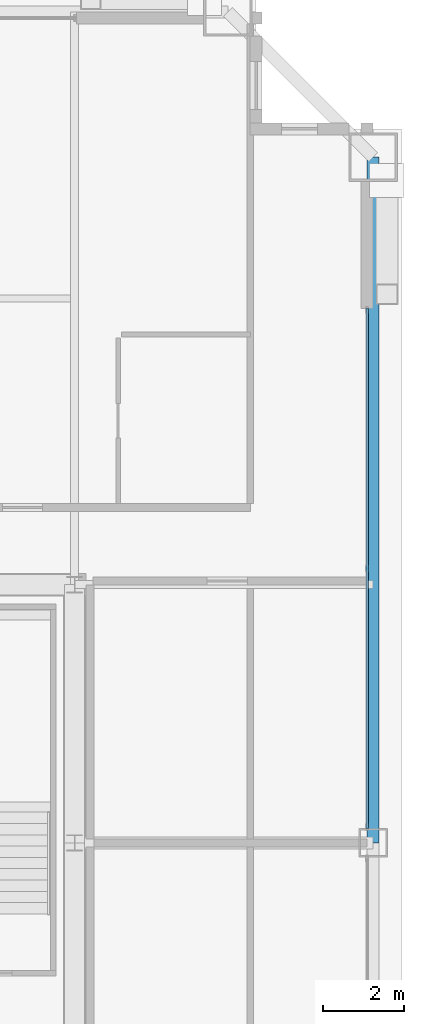
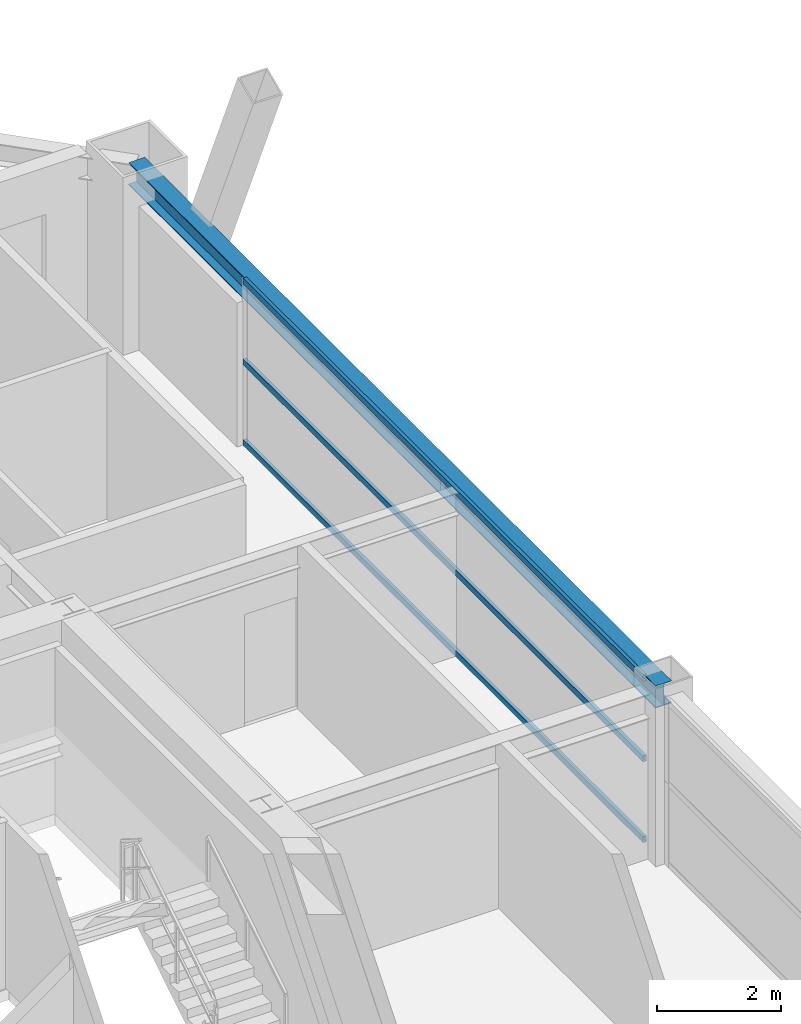
# One storey, part 18 of 33: 3 members, 1 beam, 1 element without a shape of its own.
"""IFC4 building model written with IfcOpenShell, lengths in metres."""

import ifcopenshell
import ifcopenshell.guid

model = None  # the IFC model being written
_history = None  # IfcOwnerHistory: only IFC2X3 demands one
_inside = {}  # id of a spatial element -> (the spatial element, [elements in it])
_under = {}  # id of a project, library or spatial element -> (it, [spatial elements below it])
_declared = {}  # id of a project -> (the project, [libraries it declares])
_typed = {}  # id of a type object -> (the type object, [elements of that type])
_made_of = {}  # id of a material, layer set ... -> (it, [elements and type objects made of it])


def new_model(schema):
    """Start an empty IFC model of exactly this schema.

    Asked for "IFC4X3", IfcOpenShell would pick the latest addendum, in which some entities
    have other attributes; the version numbers below select the first issue.
    IFC2X3 requires an IfcOwnerHistory on every rooted entity: one is made here for all.
    """
    global model, _history
    if schema == "IFC4X3":
        model = ifcopenshell.file(schema_version=(4, 3, 0, 0))
    else:
        model = ifcopenshell.file(schema=schema)
    _inside.clear()
    _under.clear()
    _declared.clear()
    _typed.clear()
    _made_of.clear()
    _history = None
    if model.schema == "IFC2X3":
        org = make("IfcOrganization", Name="unknown")
        user = make(
            "IfcPersonAndOrganization",
            ThePerson=make("IfcPerson", FamilyName="unknown"),
            TheOrganization=org,
        )
        app = make(
            "IfcApplication",
            ApplicationDeveloper=org,
            Version="unknown",
            ApplicationFullName="unknown",
            ApplicationIdentifier="unknown",
        )
        _history = make(
            "IfcOwnerHistory",
            OwningUser=user,
            OwningApplication=app,
            ChangeAction="ADDED",
            CreationDate=0,
        )
    return model


def make(cls, **values):
    """One entity of the class cls with the attributes given. An attribute that is None is left unset."""
    return model.create_entity(
        cls, **{name: value for name, value in values.items() if value is not None}
    )


def rooted(cls, **values):
    """An entity with a GlobalId (a new one), such as an element, a storey or a relation."""
    return make(cls, GlobalId=ifcopenshell.guid.new(), OwnerHistory=_history, **values)


def si_unit(unit_type, name, prefix=None):
    """IfcSIUnit, for example si_unit("LENGTHUNIT", "METRE", prefix="MILLI")."""
    return make("IfcSIUnit", UnitType=unit_type, Prefix=prefix, Name=name)


def assignment(units):
    """IfcUnitAssignment: the units of a project."""
    return None if units is None else make("IfcUnitAssignment", Units=units)


def point(xyz):
    """IfcCartesianPoint."""
    return None if xyz is None else make("IfcCartesianPoint", Coordinates=xyz)


def direction(xyz):
    """IfcDirection."""
    return None if xyz is None else make("IfcDirection", DirectionRatios=xyz)


def frame(location, z_axis=None, x_axis=None):
    """IfcAxis2Placement3D, a coordinate frame: its origin and axes. An axis left out is left unset."""
    return make(
        "IfcAxis2Placement3D",
        Location=point(location),
        Axis=direction(z_axis),
        RefDirection=direction(x_axis),
    )


def frame_2d(location, x_axis=None):
    """IfcAxis2Placement2D, a coordinate frame in the plane: its origin and x axis."""
    return make(
        "IfcAxis2Placement2D", Location=point(location), RefDirection=direction(x_axis)
    )


def origin():
    """The frame at (0, 0, 0) with its axes left unset."""
    return frame((0.0, 0.0, 0.0))


def origin_2d():
    """The frame at (0, 0) in the plane with its x axis left unset."""
    return frame_2d((0.0, 0.0))


def place(relative_to, where):
    """IfcLocalPlacement: puts the frame where relative to a parent placement (None: the world)."""
    return make(
        "IfcLocalPlacement", PlacementRelTo=relative_to, RelativePlacement=where
    )


def context(
    kind, dimensions, precision=None, world=None, true_north=None, identifier=None
):
    """IfcGeometricRepresentationContext, for example the 3D "Model" context."""
    return make(
        "IfcGeometricRepresentationContext",
        ContextIdentifier=identifier,
        ContextType=kind,
        CoordinateSpaceDimension=dimensions,
        Precision=precision,
        WorldCoordinateSystem=world,
        TrueNorth=true_north,
    )


def subcontext(parent, identifier, kind, view, scale=None):
    """IfcGeometricRepresentationSubContext, for example "Body" below "Model"."""
    return make(
        "IfcGeometricRepresentationSubContext",
        ContextIdentifier=identifier,
        ContextType=kind,
        ParentContext=parent,
        TargetScale=scale,
        TargetView=view,
    )


def project(units=None, contexts=None):
    """IfcProject with its units and contexts."""
    return rooted(
        "IfcProject",
        Name="project",
        RepresentationContexts=contexts,
        UnitsInContext=assignment(units),
    )


def spatial(cls, under=None, at=None, **own):
    """A site, building, storey or space (cls), placed at a placement, below another one or the project."""
    s = rooted(cls, ObjectPlacement=at, **own)
    if under is not None:
        _under.setdefault(under.id(), (under, []))[1].append(s)
    return s


def profile(cls, at=None, kind="AREA", **sizes):
    """A parametric profile (cls). Its sizes go by their IFC names, for example OverallWidth=200.0."""
    return make(cls, ProfileType=kind, Position=at, **sizes)


def hollow_rectangle(**sizes):
    """IfcRectangleHollowProfileDef."""
    return profile("IfcRectangleHollowProfileDef", **sizes)


def i_section(**sizes):
    """IfcIShapeProfileDef."""
    return profile("IfcIShapeProfileDef", **sizes)


def extrude(swept, where, along, depth):
    """IfcExtrudedAreaSolid: the profile swept, set in the frame where, extruded along a direction by depth."""
    return make(
        "IfcExtrudedAreaSolid",
        SweptArea=swept,
        Position=where,
        ExtrudedDirection=direction(along),
        Depth=depth,
    )


def shape(context_of_items, identifier, shape_type, items):
    """IfcShapeRepresentation: the items that make up one representation, for example the "Body"."""
    return make(
        "IfcShapeRepresentation",
        ContextOfItems=context_of_items,
        RepresentationIdentifier=identifier,
        RepresentationType=shape_type,
        Items=items,
    )


def source(mapping_origin, context_of_items, identifier, shape_type, items):
    """IfcRepresentationMap: a shape defined once, which mapped items show again and again."""
    return make(
        "IfcRepresentationMap",
        MappingOrigin=mapping_origin,
        MappedRepresentation=shape(context_of_items, identifier, shape_type, items),
    )


def transform(
    local_origin,
    x_axis=None,
    y_axis=None,
    z_axis=None,
    scale=None,
    scale2=None,
    scale3=None,
    uniform=True,
):
    """IfcCartesianTransformationOperator3D, or its non-uniform kind. x_axis, y_axis, z_axis: its Axis1, 2, 3."""
    if uniform:
        return make(
            "IfcCartesianTransformationOperator3D",
            Axis1=direction(x_axis),
            Axis2=direction(y_axis),
            LocalOrigin=point(local_origin),
            Scale=scale,
            Axis3=direction(z_axis),
        )
    return make(
        "IfcCartesianTransformationOperator3DnonUniform",
        Axis1=direction(x_axis),
        Axis2=direction(y_axis),
        LocalOrigin=point(local_origin),
        Scale=scale,
        Axis3=direction(z_axis),
        Scale2=scale2,
        Scale3=scale3,
    )


def mapped(mapping_source, mapping_target):
    """IfcMappedItem: shows the shape of a source again, moved by a transform."""
    return make(
        "IfcMappedItem", MappingSource=mapping_source, MappingTarget=mapping_target
    )


def material(Name=None, Category=None):
    """IfcMaterial."""
    return make("IfcMaterial", Name=Name, Category=Category)


def layer(
    of_material, thickness, ventilated=None, Name=None, Category=None, Priority=None
):
    """IfcMaterialLayer: one layer of a wall or slab, of a material (None: an air gap)."""
    return make(
        "IfcMaterialLayer",
        Material=of_material,
        LayerThickness=thickness,
        IsVentilated=ventilated,
        Name=Name,
        Category=Category,
        Priority=Priority,
    )


def layer_set(layers, Name=None):
    """IfcMaterialLayerSet."""
    return make("IfcMaterialLayerSet", MaterialLayers=layers, LayerSetName=Name)


def material_profile(
    of_material, cross_section, Name=None, Category=None, Priority=None
):
    """IfcMaterialProfile: a cross section and its material."""
    return make(
        "IfcMaterialProfile",
        Name=Name,
        Material=of_material,
        Profile=cross_section,
        Priority=Priority,
        Category=Category,
    )


def profile_set(profiles, Name=None, composite=None):
    """IfcMaterialProfileSet."""
    return make(
        "IfcMaterialProfileSet",
        Name=Name,
        MaterialProfiles=profiles,
        CompositeProfile=composite,
    )


def made_of(thing, what):
    """Note that an element or type object is made of a material, layer set ...; save() writes the relation."""
    if what is not None:
        _made_of.setdefault(what.id(), (what, []))[1].append(thing)
    return thing


def type_object(cls, material=None, **own):
    """A type object (cls), such as IfcWallType, which elements share."""
    return made_of(rooted(cls, **own), material)


def element(
    cls,
    number,
    at=None,
    inside=None,
    cuts=None,
    type_object=None,
    material=None,
    context=None,
    identifier="Body",
    shape_type=None,
    held_by="IfcProductDefinitionShape",
    body=None,
    shapes=None,
    **own,
):
    """One element of the class cls, such as IfcWall. Its Tag is "e" and its number.

    at: its placement. inside: the storey or other place that contains it. cuts: it is an
    opening in that element (IfcRelVoidsElement). A single representation is given by context,
    identifier, shape_type and body (its items); several are given by shapes. held_by: the class
    of the entity that holds the representations. save() writes the other relations.
    """
    e = rooted(cls, Tag="e%d" % number, ObjectPlacement=at, **own)
    if body is not None:
        shapes = [shape(context, identifier, shape_type, body)]
    if shapes is not None:
        e.Representation = make(held_by, Representations=shapes)
    if inside is not None:
        _inside.setdefault(inside.id(), (inside, []))[1].append(e)
    if cuts is not None:
        rooted(
            "IfcRelVoidsElement", RelatingBuildingElement=cuts, RelatedOpeningElement=e
        )
    if type_object is not None:
        _typed.setdefault(type_object.id(), (type_object, []))[1].append(e)
    return made_of(e, material)


def aggregate(whole, parts):
    """IfcRelAggregates: a whole, such as a stair, and the parts it consists of."""
    return rooted("IfcRelAggregates", RelatingObject=whole, RelatedObjects=parts)


def save(model, path):
    """Write the relations noted so far, then the file.

    IfcRelAggregates (storeys below a building ...), IfcRelContainedInSpatialStructure (elements
    in a storey), IfcRelDefinesByType, IfcRelAssociatesMaterial and IfcRelDeclares: one each for
    every whole, place, type object, material and project.
    """
    for whole, parts in _under.values():
        aggregate(whole, parts)
    for where, things in _inside.values():
        rooted(
            "IfcRelContainedInSpatialStructure",
            RelatedElements=things,
            RelatingStructure=where,
        )
    for kind, things in _typed.values():
        rooted("IfcRelDefinesByType", RelatedObjects=things, RelatingType=kind)
    for what, things in _made_of.values():
        rooted("IfcRelAssociatesMaterial", RelatedObjects=things, RelatingMaterial=what)
    for by, libraries in _declared.values():
        rooted("IfcRelDeclares", RelatingContext=by, RelatedDefinitions=libraries)
    model.write(path)


model = new_model("IFC4")

# Units and contexts
model_context = context("Model", 3, precision=1e-05, world=origin(), true_north=direction((0.0, 1.0)))
body_context = subcontext(model_context, "Body", "Model", "MODEL_VIEW")
ifc_project = project(units=[si_unit("LENGTHUNIT", "METRE"), si_unit("AREAUNIT", "SQUARE_METRE"), si_unit("VOLUMEUNIT", "CUBIC_METRE"), si_unit("PLANEANGLEUNIT", "RADIAN"), si_unit("MASSUNIT", "GRAM", prefix="KILO"), si_unit("THERMODYNAMICTEMPERATUREUNIT", "KELVIN"), si_unit("POWERUNIT", "WATT")], contexts=[model_context])

# Site, building, storey
site_placement = place(None, origin())
site = spatial("IfcSite", under=ifc_project, at=site_placement, CompositionType="ELEMENT")
building_placement = place(site_placement, origin())
building = spatial("IfcBuilding", under=site, at=building_placement, Name="Yuzanri Waterfront Tower", CompositionType="ELEMENT")
storey_placement = place(building_placement, frame((0.0, 0.0, 234.60009765625)))
storey = spatial("IfcBuildingStorey", under=building, at=storey_placement, Name="L62", CompositionType="ELEMENT", Elevation=234.60009765625)

# Beam
ifc_material_1 = material(Name="Steel Q355B", Category="steel")
ifc_material_profile_1 = material_profile(ifc_material_1, i_section(OverallWidth=0.300048828125, OverallDepth=0.43994140625, WebThickness=0.010986328125, FlangeThickness=0.01806640625, at=origin_2d()), Name="HM 440x300x11x18")
ifc_profile_set_1 = profile_set([ifc_material_profile_1], Name="Steel Q355B")
beam_type = type_object("IfcBeamType", Name="Perimeter Spandrel Q355B HM 440x300", PredefinedType="SPANDREL", material=ifc_profile_set_1)
shared_shape_1 = source(origin(), body_context, "Body", "SweptSolid", [
    extrude(i_section(OverallWidth=0.300048828125, OverallDepth=0.43994140625, WebThickness=0.010986328125, FlangeThickness=0.01806640625, at=origin_2d()), origin(), (0.0, 0.0, 1.0), 17.0),
])
beam_placement = place(storey_placement, frame((57.60009765625, 25.800048828125, 3.059814453125), z_axis=(0.0, 1.0, 0.0), x_axis=(-1.0, 0.0, 0.0)))
element("IfcBeam", 1, at=beam_placement, inside=storey, type_object=beam_type, Name="L62 Perimeter Spandrel E2-E3", PredefinedType="SPANDREL", context=body_context, shape_type="MappedRepresentation", body=[
    mapped(shared_shape_1, transform((0.0, 0.0, 0.0), scale=1.0)),
])

# Curtain wall, members
ifc_material_2 = material(Name="Anodized Architectural Bronze", Category="metal")
ifc_layer = layer(ifc_material_2, 0.159912109375)
ifc_layer_set = layer_set([ifc_layer], Name="Anodized Architectural Bronze")
curtain_wall_type = type_object("IfcCurtainWallType", Name="Anodized Bronze Mid-Rise Residential Acoustic Unitized Curtain Wall 7200", PredefinedType="NOTDEFINED", material=ifc_layer_set)
curtain_wall_placement = place(storey_placement, origin())
curtain_wall = element("IfcCurtainWall", 2, at=curtain_wall_placement, inside=storey, type_object=curtain_wall_type, Name="L62 Curtain Wall CW-L62-ER", PredefinedType="NOTDEFINED")
ifc_material_3 = material(Name="Anodized Architectural Bronze", Category="metal")
ifc_material_profile_2 = material_profile(ifc_material_3, hollow_rectangle(XDim=0.06494140625, YDim=0.1201171875, WallThickness=0.00341796875, at=origin_2d()), Name="CWT 65x120")
ifc_profile_set_2 = profile_set([ifc_material_profile_2], Name="Anodized Architectural Bronze")
member_type = type_object("IfcMemberType", Name="Anodized Bronze Secondary Curtain-Wall Transom 65x120", PredefinedType="USERDEFINED", material=ifc_profile_set_2)
shared_shape_2 = source(origin(), body_context, "Body", "SweptSolid", [
    extrude(hollow_rectangle(XDim=0.06494140625, YDim=0.1201171875, WallThickness=0.00341796875, at=origin_2d()), origin(), (0.0, 0.0, 1.0), 12.900146484375),
])
member_1_placement = place(storey_placement, frame((57.449951171875, 26.14990234375, 0.0498046875), z_axis=(0.0, 1.0, 0.0), x_axis=(-1.0, 0.0, 0.0)))
member_1 = element("IfcMember", 3, at=member_1_placement, type_object=member_type, Name="CW-L62-ER Transom 1", ObjectType="TRANSOM", PredefinedType="USERDEFINED", context=body_context, shape_type="MappedRepresentation", body=[
    mapped(shared_shape_2, transform((0.0, 0.0, 0.0), scale=1.0)),
])
member_2_placement = place(storey_placement, frame((57.449951171875, 26.14990234375, 1.639892578125), z_axis=(0.0, 1.0, 0.0), x_axis=(-1.0, 0.0, 0.0)))
member_2 = element("IfcMember", 4, at=member_2_placement, type_object=member_type, Name="CW-L62-ER Transom 2", ObjectType="TRANSOM", PredefinedType="USERDEFINED", context=body_context, shape_type="MappedRepresentation", body=[
    mapped(shared_shape_2, transform((0.0, 0.0, 0.0), scale=1.0)),
])
member_3_placement = place(storey_placement, frame((57.449951171875, 26.14990234375, 3.22998046875), z_axis=(0.0, 1.0, 0.0), x_axis=(-1.0, 0.0, 0.0)))
member_3 = element("IfcMember", 5, at=member_3_placement, type_object=member_type, Name="CW-L62-ER Transom 3", ObjectType="TRANSOM", PredefinedType="USERDEFINED", context=body_context, shape_type="MappedRepresentation", body=[
    mapped(shared_shape_2, transform((0.0, 0.0, 0.0), scale=1.0)),
])
aggregate(curtain_wall, [member_1, member_2, member_3])

save(model, "model.ifc")
